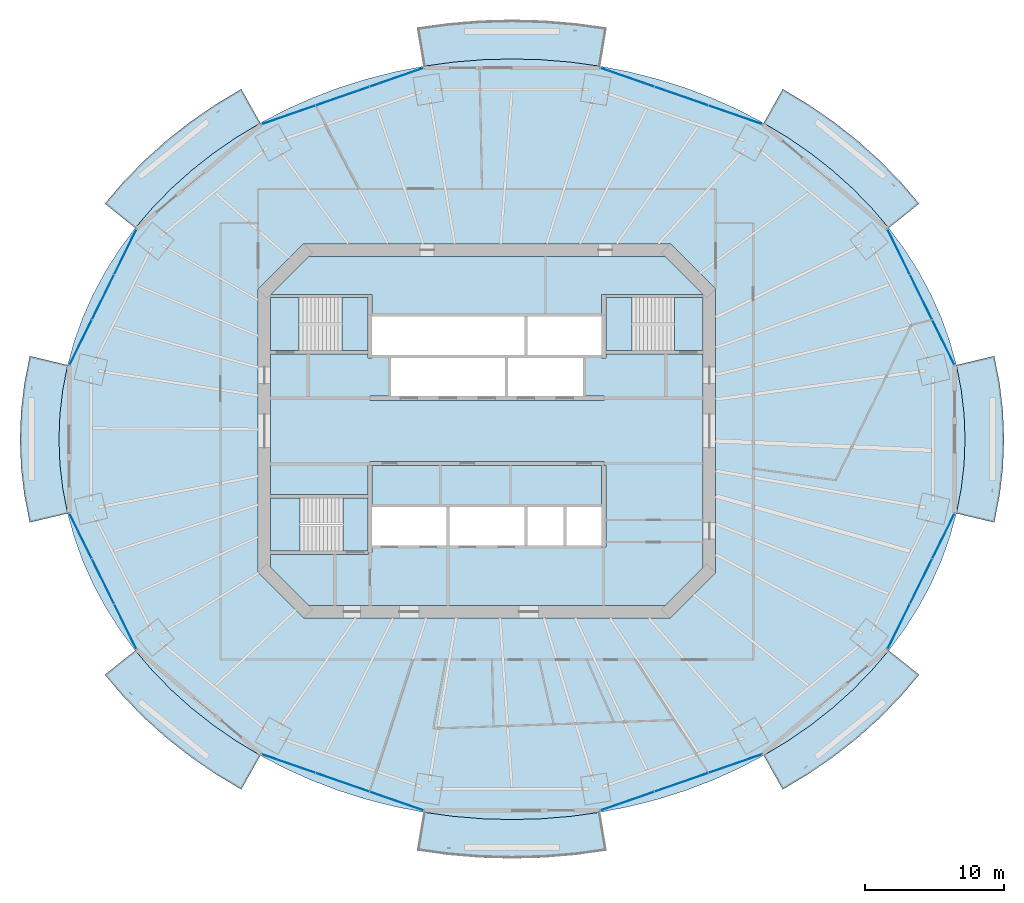
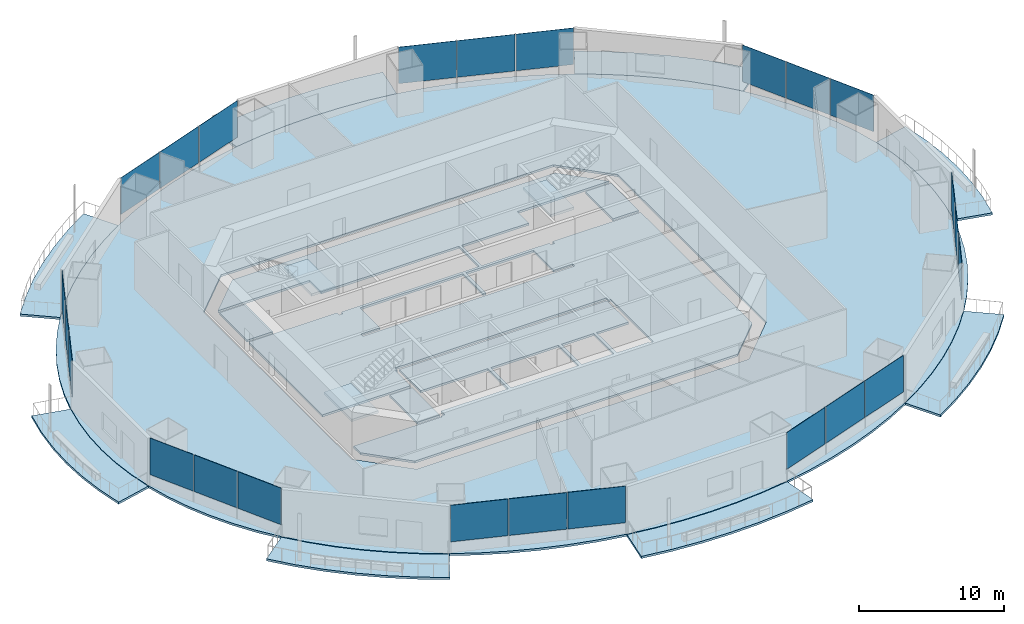
# One storey, part 10 of 20: 24 plates, 16 slabs, 11 elements without a shape of their own.
"""IFC4 building model written with IfcOpenShell, lengths in metres."""

from ifc_helpers import new_model, si_unit, direction, frame, origin, origin_2d, place, context, subcontext, project, spatial, polyline, rectangle, outline, extrude, material, layer, layer_set, type_object, element, aggregate, save


model = new_model("IFC4")

# Units and contexts
model_context = context("Model", 3, precision=1e-05, world=origin(), true_north=direction((0.0, 1.0)))
body_context = subcontext(model_context, "Body", "Model", "MODEL_VIEW")
ifc_project = project(units=[si_unit("LENGTHUNIT", "METRE"), si_unit("AREAUNIT", "SQUARE_METRE"), si_unit("VOLUMEUNIT", "CUBIC_METRE"), si_unit("PLANEANGLEUNIT", "RADIAN"), si_unit("MASSUNIT", "GRAM", prefix="KILO")], contexts=[model_context])

# Site, building, storey
site_placement = place(None, origin())
site = spatial("IfcSite", under=ifc_project, at=site_placement, CompositionType="ELEMENT")
building_placement = place(site_placement, origin())
building = spatial("IfcBuilding", under=site, at=building_placement, Name="Marenthal Gate Tower", CompositionType="ELEMENT")
storey_placement = place(building_placement, frame((0.0, 0.0, 181.800048828125)))
storey = spatial("IfcBuildingStorey", under=building, at=storey_placement, Name="L39", CompositionType="ELEMENT", Elevation=181.800048828125)

# Slabs
ifc_material_1 = material(Name="Concrete 40 MPa", Category="concrete")
ifc_layer_1 = layer(ifc_material_1, 0.179931640625)
ifc_layer_set_1 = layer_set([ifc_layer_1], Name="Balcony deck 180")
slab_type_1 = type_object("IfcSlabType", Name="Balcony deck 180", PredefinedType="USERDEFINED", material=ifc_layer_set_1)
slab_1_placement = place(storey_placement, frame((0.0, 0.0, -0.219970703125)))
element("IfcSlab", 1, at=slab_1_placement, inside=storey, type_object=slab_type_1, Name="Balcony deck L39 bay 2", ObjectType="BALCONY", PredefinedType="USERDEFINED", context=body_context, shape_type="SweptSolid", body=[
    extrude(outline(polyline([(28.88671875, 14.592529296875), (27.64501953125, 16.047119140625), (26.292724609375, 17.430419921875), (24.83544921875, 18.736572265625), (23.279541015625, 19.959716796875), (21.631591796875, 21.094970703125), (19.898681640625, 22.137451171875), (21.2685546875, 24.57958984375), (23.147705078125, 23.448974609375), (24.939453125, 22.214599609375), (26.635498046875, 20.881103515625), (28.228759765625, 19.453125), (29.711669921875, 17.936279296875), (31.077392578125, 16.33642578125), (28.88671875, 14.592529296875)])), origin(), (0.0, 0.0, 1.0), 0.179931640625),
])
slab_2_placement = place(storey_placement, frame((0.0, 0.0, -0.219970703125)))
element("IfcSlab", 2, at=slab_2_placement, inside=storey, type_object=slab_type_1, Name="Balcony deck L39 bay 4", ObjectType="BALCONY", PredefinedType="USERDEFINED", context=body_context, shape_type="SweptSolid", body=[
    extrude(outline(polyline([(8.155517578125, 26.220703125), (6.05224609375, 26.51220703125), (3.9306640625, 26.6875), (1.800048828125, 26.74609375), (-0.33056640625, 26.6875), (-2.4521484375, 26.51220703125), (-4.555419921875, 26.220703125), (-5.0166015625, 28.982421875), (-2.759765625, 29.295166015625), (-0.484375, 29.483154296875), (1.800048828125, 29.5458984375), (4.08447265625, 29.483154296875), (6.35986328125, 29.295166015625), (8.61669921875, 28.982421875), (8.155517578125, 26.220703125)])), origin(), (0.0, 0.0, 1.0), 0.179931640625),
])
slab_3_placement = place(storey_placement, frame((0.0, 0.0, -0.219970703125)))
element("IfcSlab", 3, at=slab_3_placement, inside=storey, type_object=slab_type_1, Name="Balcony deck L39 bay 6", ObjectType="BALCONY", PredefinedType="USERDEFINED", context=body_context, shape_type="SweptSolid", body=[
    extrude(outline(polyline([(-16.298828125, 22.137451171875), (-18.031494140625, 21.094970703125), (-19.679443359375, 19.959716796875), (-21.2353515625, 18.736572265625), (-22.692626953125, 17.430419921875), (-24.045166015625, 16.047119140625), (-25.286865234375, 14.592529296875), (-27.4775390625, 16.33642578125), (-26.11181640625, 17.936279296875), (-24.62890625, 19.453125), (-23.03564453125, 20.881103515625), (-21.33935546875, 22.214599609375), (-19.5478515625, 23.448974609375), (-17.66845703125, 24.57958984375), (-16.298828125, 22.137451171875)])), origin(), (0.0, 0.0, 1.0), 0.179931640625),
])
slab_4_placement = place(storey_placement, frame((0.0, 0.0, -0.219970703125)))
element("IfcSlab", 4, at=slab_4_placement, inside=storey, type_object=slab_type_1, Name="Balcony deck L39 bay 8", ObjectType="BALCONY", PredefinedType="USERDEFINED", context=body_context, shape_type="SweptSolid", body=[
    extrude(outline(polyline([(-30.15087890625, 4.73486328125), (-30.498291015625, 2.969482421875), (-30.707275390625, 1.1884765625), (-30.777099609375, -0.60009765625), (-30.707275390625, -2.388427734375), (-30.498291015625, -4.16943359375), (-30.15087890625, -5.934814453125), (-32.87548828125, -6.58056640625), (-33.264404296875, -4.603271484375), (-33.498779296875, -2.6064453125), (-33.576904296875, -0.60009765625), (-33.498779296875, 1.406494140625), (-33.264404296875, 3.4033203125), (-32.87548828125, 5.380615234375), (-30.15087890625, 4.73486328125)])), origin(), (0.0, 0.0, 1.0), 0.179931640625),
])
slab_5_placement = place(storey_placement, frame((0.0, 0.0, -0.219970703125)))
element("IfcSlab", 5, at=slab_5_placement, inside=storey, type_object=slab_type_1, Name="Balcony deck L39 bay 10", ObjectType="BALCONY", PredefinedType="USERDEFINED", context=body_context, shape_type="SweptSolid", body=[
    extrude(outline(polyline([(-25.286865234375, -15.79248046875), (-24.045166015625, -17.247314453125), (-22.692626953125, -18.630615234375), (-21.2353515625, -19.9365234375), (-19.679443359375, -21.159912109375), (-18.031494140625, -22.294921875), (-16.298828125, -23.33740234375), (-17.66845703125, -25.779541015625), (-19.5478515625, -24.64892578125), (-21.33935546875, -23.414794921875), (-23.03564453125, -22.0810546875), (-24.62890625, -20.6533203125), (-26.11181640625, -19.136474609375), (-27.4775390625, -17.536376953125), (-25.286865234375, -15.79248046875)])), origin(), (0.0, 0.0, 1.0), 0.179931640625),
])
slab_6_placement = place(storey_placement, frame((0.0, 0.0, -0.219970703125)))
element("IfcSlab", 6, at=slab_6_placement, inside=storey, type_object=slab_type_1, Name="Balcony deck L39 bay 12", ObjectType="BALCONY", PredefinedType="USERDEFINED", context=body_context, shape_type="SweptSolid", body=[
    extrude(outline(polyline([(-4.555419921875, -27.420654296875), (-2.4521484375, -27.712158203125), (-0.33056640625, -27.887451171875), (1.800048828125, -27.946044921875), (3.9306640625, -27.887451171875), (6.05224609375, -27.712158203125), (8.155517578125, -27.420654296875), (8.61669921875, -30.182373046875), (6.35986328125, -30.4951171875), (4.08447265625, -30.683349609375), (1.800048828125, -30.74609375), (-0.484375, -30.683349609375), (-2.759765625, -30.4951171875), (-5.0166015625, -30.182373046875), (-4.555419921875, -27.420654296875)])), origin(), (0.0, 0.0, 1.0), 0.179931640625),
])
slab_7_placement = place(storey_placement, frame((0.0, 0.0, -0.219970703125)))
element("IfcSlab", 7, at=slab_7_placement, inside=storey, type_object=slab_type_1, Name="Balcony deck L39 bay 14", ObjectType="BALCONY", PredefinedType="USERDEFINED", context=body_context, shape_type="SweptSolid", body=[
    extrude(outline(polyline([(19.898681640625, -23.33740234375), (21.631591796875, -22.294921875), (23.279541015625, -21.159912109375), (24.83544921875, -19.9365234375), (26.292724609375, -18.630615234375), (27.64501953125, -17.247314453125), (28.88671875, -15.79248046875), (31.077392578125, -17.536376953125), (29.711669921875, -19.136474609375), (28.228759765625, -20.6533203125), (26.635498046875, -22.0810546875), (24.939453125, -23.414794921875), (23.147705078125, -24.64892578125), (21.2685546875, -25.779541015625), (19.898681640625, -23.33740234375)])), origin(), (0.0, 0.0, 1.0), 0.179931640625),
])
slab_8_placement = place(storey_placement, frame((0.0, 0.0, -0.219970703125)))
element("IfcSlab", 8, at=slab_8_placement, inside=storey, type_object=slab_type_1, Name="Balcony deck L39 bay 16", ObjectType="BALCONY", PredefinedType="USERDEFINED", context=body_context, shape_type="SweptSolid", body=[
    extrude(outline(polyline([(33.7509765625, -5.934814453125), (34.098388671875, -4.16943359375), (34.307373046875, -2.388427734375), (34.376953125, -0.60009765625), (34.307373046875, 1.1884765625), (34.098388671875, 2.969482421875), (33.7509765625, 4.73486328125), (36.4755859375, 5.380615234375), (36.864501953125, 3.4033203125), (37.098876953125, 1.406494140625), (37.177001953125, -0.60009765625), (37.098876953125, -2.6064453125), (36.864501953125, -4.603271484375), (36.4755859375, -6.58056640625), (33.7509765625, -5.934814453125)])), origin(), (0.0, 0.0, 1.0), 0.179931640625),
])
ifc_material_2 = material(Name="Concrete 50 MPa", Category="concrete")
ifc_layer_2 = layer(ifc_material_2, 0.179931640625)
ifc_layer_set_2 = layer_set([ifc_layer_2], Name="Core floor slab 180")
slab_type_2 = type_object("IfcSlabType", Name="Core floor slab 180", PredefinedType="FLOOR", material=ifc_layer_set_2)
slab_9_placement = place(storey_placement, frame((0.0, 0.0, -0.179931640625)))
element("IfcSlab", 9, at=slab_9_placement, inside=storey, type_object=slab_type_2, Name="Core floor L39", PredefinedType="FLOOR", context=body_context, shape_type="SweptSolid", body=[
    extrude(outline(polyline([(12.813720703125, -12.550048828125), (-12.813720703125, -12.550048828125), (-15.550048828125, -9.813720703125), (-15.550048828125, -8.875), (-8.550048828125, -8.875), (-8.550048828125, -8.75), (-8.25, -8.75), (-8.25, -8.239990234375), (-5.60009765625, -8.239990234375), (-2.909912109375, -8.239990234375), (-2.909912109375, -5.4599609375), (-5.60009765625, -5.4599609375), (-8.25, -5.4599609375), (-8.25, -2.5), (8.25, -2.5), (8.25, -5.4599609375), (5.7099609375, -5.4599609375), (5.7099609375, -8.239990234375), (8.25, -8.239990234375), (8.25, -8.35009765625), (8.550048828125, -8.35009765625), (8.550048828125, -2.5), (8.39990234375, -2.5), (8.39990234375, -2.199951171875), (-8.39990234375, -2.199951171875), (-8.39990234375, -2.5), (-8.550048828125, -2.5), (-8.550048828125, -4.574951171875), (-15.550048828125, -4.574951171875), (-15.550048828125, 5.52490234375), (-8.550048828125, 5.52490234375), (-8.550048828125, 5.239990234375), (-8.25, 5.239990234375), (-8.25, 5.4599609375), (-5.60009765625, 5.4599609375), (-2.800048828125, 5.4599609375), (0.0, 5.4599609375), (2.68994140625, 5.4599609375), (2.68994140625, 8.239990234375), (0.0, 8.239990234375), (-2.800048828125, 8.239990234375), (-5.60009765625, 8.239990234375), (-8.25, 8.239990234375), (-8.25, 8.35009765625), (-8.25, 9.824951171875), (-8.550048828125, 9.824951171875), (-15.53857421875, 9.824951171875), (-12.813720703125, 12.550048828125), (12.813720703125, 12.550048828125), (15.53857421875, 9.824951171875), (8.550048828125, 9.824951171875), (8.25, 9.824951171875), (8.25, 8.35009765625), (8.25, 8.239990234375), (5.60009765625, 8.239990234375), (2.909912109375, 8.239990234375), (2.909912109375, 5.4599609375), (5.60009765625, 5.4599609375), (8.25, 5.4599609375), (8.25, 5.239990234375), (8.550048828125, 5.239990234375), (8.550048828125, 5.52490234375), (15.550048828125, 5.52490234375), (15.550048828125, -9.813720703125), (12.813720703125, -12.550048828125)]), holes=[polyline([(2.68994140625, -8.239990234375), (2.68994140625, -5.4599609375), (0.0, -5.4599609375), (-2.68994140625, -5.4599609375), (-2.68994140625, -8.239990234375), (0.0, -8.239990234375), (2.68994140625, -8.239990234375)]), polyline([(-6.889892578125, 5.239990234375), (-6.889892578125, 2.5), (-8.39990234375, 2.5), (-8.39990234375, 2.199951171875), (8.39990234375, 2.199951171875), (8.39990234375, 2.5), (6.889892578125, 2.5), (6.889892578125, 5.239990234375), (4.199951171875, 5.239990234375), (1.510009765625, 5.239990234375), (1.510009765625, 2.5), (1.2900390625, 2.5), (1.2900390625, 5.239990234375), (-1.39990234375, 5.239990234375), (-4.199951171875, 5.239990234375), (-6.889892578125, 5.239990234375)]), polyline([(5.489990234375, -5.4599609375), (2.909912109375, -5.4599609375), (2.909912109375, -8.239990234375), (5.489990234375, -8.239990234375), (5.489990234375, -5.4599609375)])]), origin(), (0.0, 0.0, 1.0), 0.179931640625),
])
slab_10_placement = place(storey_placement, frame((0.0, 0.0, -0.179931640625)))
element("IfcSlab", 10, at=slab_10_placement, inside=storey, type_object=slab_type_2, Name="Core floor L39", PredefinedType="FLOOR", context=body_context, shape_type="SweptSolid", body=[
    extrude(outline(polyline([(15.550048828125, 5.77490234375), (13.5, 5.77490234375), (13.5, 9.574951171875), (15.550048828125, 9.574951171875), (15.550048828125, 5.77490234375)])), origin(), (0.0, 0.0, 1.0), 0.179931640625),
])
slab_11_placement = place(storey_placement, frame((0.0, 0.0, -0.179931640625)))
element("IfcSlab", 11, at=slab_11_placement, inside=storey, type_object=slab_type_2, Name="Core floor L39", PredefinedType="FLOOR", context=body_context, shape_type="SweptSolid", body=[
    extrude(outline(polyline([(-15.550048828125, 9.574951171875), (-13.5, 9.574951171875), (-13.5, 5.77490234375), (-15.550048828125, 5.77490234375), (-15.550048828125, 9.574951171875)])), origin(), (0.0, 0.0, 1.0), 0.179931640625),
])
slab_12_placement = place(storey_placement, frame((0.0, 0.0, -0.179931640625)))
element("IfcSlab", 12, at=slab_12_placement, inside=storey, type_object=slab_type_2, Name="Core floor L39", PredefinedType="FLOOR", context=body_context, shape_type="SweptSolid", body=[
    extrude(outline(polyline([(-8.550048828125, -8.625), (-10.35009765625, -8.625), (-10.35009765625, -4.824951171875), (-8.550048828125, -4.824951171875), (-8.550048828125, -8.625)])), origin(), (0.0, 0.0, 1.0), 0.179931640625),
])
ifc_material_3 = material(Name="Concrete 35 MPa", Category="concrete")
ifc_layer_3 = layer(ifc_material_3, 0.179931640625)
ifc_layer_set_3 = layer_set([ifc_layer_3], Name="Floor slab 180")
slab_type_3 = type_object("IfcSlabType", Name="Floor slab 180", PredefinedType="FLOOR", material=ifc_layer_set_3)
slab_13_placement = place(storey_placement, frame((0.0, 0.0, -0.179931640625)))
element("IfcSlab", 13, at=slab_13_placement, inside=storey, type_object=slab_type_3, Name="SL-L39-01", PredefinedType="FLOOR", context=body_context, shape_type="SweptSolid", body=[
    extrude(outline(polyline([(34.376953125, -0.60009765625), (34.307373046875, 1.1884765625), (34.098388671875, 2.969482421875), (33.7509765625, 4.73486328125), (33.26708984375, 6.477783203125), (32.648193359375, 8.190185546875), (31.897216796875, 9.864990234375), (31.017333984375, 11.494873046875), (30.012451171875, 13.072998046875), (28.88671875, 14.592529296875), (27.64501953125, 16.047119140625), (26.292724609375, 17.430419921875), (24.83544921875, 18.736572265625), (23.279541015625, 19.959716796875), (21.631591796875, 21.094970703125), (19.898681640625, 22.137451171875), (18.08837890625, 23.082275390625), (16.20849609375, 23.92578125), (14.2666015625, 24.664306640625), (12.271484375, 25.294921875), (10.2314453125, 25.814208984375), (8.155517578125, 26.220703125), (6.05224609375, 26.51220703125), (3.9306640625, 26.6875), (1.800048828125, 26.74609375), (-0.33056640625, 26.6875), (-2.4521484375, 26.51220703125), (-4.555419921875, 26.220703125), (-6.631591796875, 25.814208984375), (-8.67138671875, 25.294921875), (-10.666748046875, 24.664306640625), (-12.6083984375, 23.92578125), (-14.488525390625, 23.082275390625), (-16.298828125, 22.137451171875), (-18.031494140625, 21.094970703125), (-19.679443359375, 19.959716796875), (-21.2353515625, 18.736572265625), (-22.692626953125, 17.430419921875), (-24.045166015625, 16.047119140625), (-25.286865234375, 14.592529296875), (-26.41259765625, 13.072998046875), (-27.41748046875, 11.494873046875), (-28.297119140625, 9.864990234375), (-29.048095703125, 8.190185546875), (-29.6669921875, 6.477783203125), (-30.15087890625, 4.73486328125), (-30.498291015625, 2.969482421875), (-30.707275390625, 1.1884765625), (-30.777099609375, -0.60009765625), (-30.707275390625, -2.388427734375), (-30.498291015625, -4.16943359375), (-30.15087890625, -5.934814453125), (-29.6669921875, -7.677734375), (-29.048095703125, -9.39013671875), (-28.297119140625, -11.06494140625), (-27.41748046875, -12.69482421875), (-26.41259765625, -14.27294921875), (-25.286865234375, -15.79248046875), (-24.045166015625, -17.247314453125), (-22.692626953125, -18.630615234375), (-21.2353515625, -19.9365234375), (-19.679443359375, -21.159912109375), (-18.031494140625, -22.294921875), (-16.298828125, -23.33740234375), (-14.488525390625, -24.2822265625), (-12.6083984375, -25.1259765625), (-10.666748046875, -25.864501953125), (-8.67138671875, -26.494873046875), (-6.631591796875, -27.01416015625), (-4.555419921875, -27.420654296875), (-2.4521484375, -27.712158203125), (-0.33056640625, -27.887451171875), (1.800048828125, -27.946044921875), (3.9306640625, -27.887451171875), (6.05224609375, -27.712158203125), (8.155517578125, -27.420654296875), (10.2314453125, -27.01416015625), (12.271484375, -26.494873046875), (14.2666015625, -25.864501953125), (16.20849609375, -25.1259765625), (18.08837890625, -24.2822265625), (19.898681640625, -23.33740234375), (21.631591796875, -22.294921875), (23.279541015625, -21.159912109375), (24.83544921875, -19.9365234375), (26.292724609375, -18.630615234375), (27.64501953125, -17.247314453125), (28.88671875, -15.79248046875), (30.012451171875, -14.27294921875), (31.017333984375, -12.69482421875), (31.897216796875, -11.06494140625), (32.648193359375, -9.39013671875), (33.26708984375, -7.677734375), (33.7509765625, -5.934814453125), (34.098388671875, -4.16943359375), (34.307373046875, -2.388427734375), (34.376953125, -0.60009765625)]), holes=[polyline([(13.186279296875, -13.449951171875), (16.449951171875, -10.186279296875), (16.449951171875, 10.186279296875), (13.186279296875, 13.449951171875), (-13.186279296875, 13.449951171875), (-16.449951171875, 10.186279296875), (-16.449951171875, -10.186279296875), (-13.186279296875, -13.449951171875), (13.186279296875, -13.449951171875)])]), origin(), (0.0, 0.0, 1.0), 0.179931640625),
])

# Curtain wall, plates
ifc_material_4 = material(Name="Aluminium and glass", Category="aluminium")
curtain_wall_type = type_object("IfcCurtainWallType", Name="Curtain wall typical mid", PredefinedType="NOTDEFINED", material=ifc_material_4)
curtain_wall_1_placement = place(storey_placement, origin())
curtain_wall_1 = element("IfcCurtainWall", 14, at=curtain_wall_1_placement, inside=storey, type_object=curtain_wall_type, Name="Curtain wall L39 bay 1", PredefinedType="NOTDEFINED")
ifc_material_5 = material(Name="Glass, laminated insulating unit", Category="glass")
ifc_layer_4 = layer(ifc_material_5, 0.030029296875)
ifc_layer_set_4 = layer_set([ifc_layer_4], Name="Glass panel 30 typical mid")
plate_type = type_object("IfcPlateType", Name="Glass panel 30 typical mid", PredefinedType="CURTAIN_PANEL", material=ifc_layer_set_4)
plate_1_placement = place(storey_placement, frame((32.816650390625, 6.365234375, 0.89990234375), z_axis=(0.0, 0.0, 1.0), x_axis=(-0.442753381428, 0.89664343149, 0.0)))
plate_1 = element("IfcPlate", 15, at=plate_1_placement, type_object=plate_type, Name="Glass panel L39 bay 1.1", PredefinedType="CURTAIN_PANEL", context=body_context, shape_type="SweptSolid", body=[
    extrude(rectangle(XDim=3.568603515625, YDim=0.030029296875, at=origin_2d()), origin(), (0.0, 0.0, 1.0), 3.070068359375),
])
plate_2_placement = place(storey_placement, frame((31.210205078125, 9.61865234375, 0.89990234375), z_axis=(0.0, 0.0, 1.0), x_axis=(-0.442753381428, 0.89664343149, 0.0)))
plate_2 = element("IfcPlate", 16, at=plate_2_placement, type_object=plate_type, Name="Glass panel L39 bay 1.2", PredefinedType="CURTAIN_PANEL", context=body_context, shape_type="SweptSolid", body=[
    extrude(rectangle(XDim=3.568603515625, YDim=0.030029296875, at=origin_2d()), origin(), (0.0, 0.0, 1.0), 3.070068359375),
])
plate_3_placement = place(storey_placement, frame((29.603515625, 12.872314453125, 0.89990234375), z_axis=(0.0, 0.0, 1.0), x_axis=(-0.442753381428, 0.89664343149, 0.0)))
plate_3 = element("IfcPlate", 17, at=plate_3_placement, type_object=plate_type, Name="Glass panel L39 bay 1.3", PredefinedType="CURTAIN_PANEL", context=body_context, shape_type="SweptSolid", body=[
    extrude(rectangle(XDim=3.568603515625, YDim=0.030029296875, at=origin_2d()), origin(), (0.0, 0.0, 1.0), 3.070068359375),
])
aggregate(curtain_wall_1, [plate_1, plate_2, plate_3])

curtain_wall_2_placement = place(storey_placement, origin())
curtain_wall_2 = element("IfcCurtainWall", 18, at=curtain_wall_2_placement, inside=storey, type_object=curtain_wall_type, Name="Curtain wall L39 bay 3", PredefinedType="NOTDEFINED")
plate_4_placement = place(storey_placement, frame((17.86328125, 22.7216796875, 0.89990234375), z_axis=(0.0, 0.0, 1.0), x_axis=(-0.944604464856, 0.32821091538, 0.0)))
plate_4 = element("IfcPlate", 19, at=plate_4_placement, type_object=plate_type, Name="Glass panel L39 bay 3.1", PredefinedType="CURTAIN_PANEL", context=body_context, shape_type="SweptSolid", body=[
    extrude(rectangle(XDim=4.048583984375, YDim=0.030029296875, at=origin_2d()), origin(), (0.0, 0.0, 1.0), 3.070068359375),
])
plate_5_placement = place(storey_placement, frame((13.982177734375, 24.0703125, 0.89990234375), z_axis=(0.0, 0.0, 1.0), x_axis=(-0.944604464856, 0.32821091538, 0.0)))
plate_5 = element("IfcPlate", 20, at=plate_5_placement, type_object=plate_type, Name="Glass panel L39 bay 3.2", PredefinedType="CURTAIN_PANEL", context=body_context, shape_type="SweptSolid", body=[
    extrude(rectangle(XDim=4.048828125, YDim=0.030029296875, at=origin_2d()), origin(), (0.0, 0.0, 1.0), 3.070068359375),
])
plate_6_placement = place(storey_placement, frame((10.100830078125, 25.418701171875, 0.89990234375), z_axis=(0.0, 0.0, 1.0), x_axis=(-0.944604464856, 0.32821091538, 0.0)))
plate_6 = element("IfcPlate", 21, at=plate_6_placement, type_object=plate_type, Name="Glass panel L39 bay 3.3", PredefinedType="CURTAIN_PANEL", context=body_context, shape_type="SweptSolid", body=[
    extrude(rectangle(XDim=4.048583984375, YDim=0.030029296875, at=origin_2d()), origin(), (0.0, 0.0, 1.0), 3.070068359375),
])
aggregate(curtain_wall_2, [plate_4, plate_5, plate_6])

curtain_wall_3_placement = place(storey_placement, origin())
curtain_wall_3 = element("IfcCurtainWall", 22, at=curtain_wall_3_placement, inside=storey, type_object=curtain_wall_type, Name="Curtain wall L39 bay 5", PredefinedType="NOTDEFINED")
plate_7_placement = place(storey_placement, frame((-6.5009765625, 25.418701171875, 0.89990234375), z_axis=(0.0, 0.0, 1.0), x_axis=(-0.944604464856, -0.32821091538, 0.0)))
plate_7 = element("IfcPlate", 23, at=plate_7_placement, type_object=plate_type, Name="Glass panel L39 bay 5.1", PredefinedType="CURTAIN_PANEL", context=body_context, shape_type="SweptSolid", body=[
    extrude(rectangle(XDim=4.048583984375, YDim=0.030029296875, at=origin_2d()), origin(), (0.0, 0.0, 1.0), 3.070068359375),
])
plate_8_placement = place(storey_placement, frame((-10.382080078125, 24.0703125, 0.89990234375), z_axis=(0.0, 0.0, 1.0), x_axis=(-0.944604464856, -0.32821091538, 0.0)))
plate_8 = element("IfcPlate", 24, at=plate_8_placement, type_object=plate_type, Name="Glass panel L39 bay 5.2", PredefinedType="CURTAIN_PANEL", context=body_context, shape_type="SweptSolid", body=[
    extrude(rectangle(XDim=4.048828125, YDim=0.030029296875, at=origin_2d()), origin(), (0.0, 0.0, 1.0), 3.070068359375),
])
plate_9_placement = place(storey_placement, frame((-14.26318359375, 22.7216796875, 0.89990234375), z_axis=(0.0, 0.0, 1.0), x_axis=(-0.944604464856, -0.32821091538, 0.0)))
plate_9 = element("IfcPlate", 25, at=plate_9_placement, type_object=plate_type, Name="Glass panel L39 bay 5.3", PredefinedType="CURTAIN_PANEL", context=body_context, shape_type="SweptSolid", body=[
    extrude(rectangle(XDim=4.048583984375, YDim=0.030029296875, at=origin_2d()), origin(), (0.0, 0.0, 1.0), 3.070068359375),
])
aggregate(curtain_wall_3, [plate_7, plate_8, plate_9])

curtain_wall_4_placement = place(storey_placement, origin())
curtain_wall_4 = element("IfcCurtainWall", 26, at=curtain_wall_4_placement, inside=storey, type_object=curtain_wall_type, Name="Curtain wall L39 bay 7", PredefinedType="NOTDEFINED")
plate_10_placement = place(storey_placement, frame((-26.003662109375, 12.872314453125, 0.89990234375), z_axis=(0.0, 0.0, 1.0), x_axis=(-0.442753381428, -0.89664343149, 0.0)))
plate_10 = element("IfcPlate", 27, at=plate_10_placement, type_object=plate_type, Name="Glass panel L39 bay 7.1", PredefinedType="CURTAIN_PANEL", context=body_context, shape_type="SweptSolid", body=[
    extrude(rectangle(XDim=3.568603515625, YDim=0.030029296875, at=origin_2d()), origin(), (0.0, 0.0, 1.0), 3.070068359375),
])
plate_11_placement = place(storey_placement, frame((-27.610107421875, 9.61865234375, 0.89990234375), z_axis=(0.0, 0.0, 1.0), x_axis=(-0.442753381428, -0.89664343149, 0.0)))
plate_11 = element("IfcPlate", 28, at=plate_11_placement, type_object=plate_type, Name="Glass panel L39 bay 7.2", PredefinedType="CURTAIN_PANEL", context=body_context, shape_type="SweptSolid", body=[
    extrude(rectangle(XDim=3.568603515625, YDim=0.030029296875, at=origin_2d()), origin(), (0.0, 0.0, 1.0), 3.070068359375),
])
plate_12_placement = place(storey_placement, frame((-29.216796875, 6.365234375, 0.89990234375), z_axis=(0.0, 0.0, 1.0), x_axis=(-0.442753381428, -0.89664343149, 0.0)))
plate_12 = element("IfcPlate", 29, at=plate_12_placement, type_object=plate_type, Name="Glass panel L39 bay 7.3", PredefinedType="CURTAIN_PANEL", context=body_context, shape_type="SweptSolid", body=[
    extrude(rectangle(XDim=3.568603515625, YDim=0.030029296875, at=origin_2d()), origin(), (0.0, 0.0, 1.0), 3.070068359375),
])
aggregate(curtain_wall_4, [plate_10, plate_11, plate_12])

curtain_wall_5_placement = place(storey_placement, origin())
curtain_wall_5 = element("IfcCurtainWall", 30, at=curtain_wall_5_placement, inside=storey, type_object=curtain_wall_type, Name="Curtain wall L39 bay 9", PredefinedType="NOTDEFINED")
plate_13_placement = place(storey_placement, frame((-29.216796875, -7.565185546875, 0.89990234375), z_axis=(0.0, 0.0, 1.0), x_axis=(0.442753381428, -0.89664343149, 0.0)))
plate_13 = element("IfcPlate", 31, at=plate_13_placement, type_object=plate_type, Name="Glass panel L39 bay 9.1", PredefinedType="CURTAIN_PANEL", context=body_context, shape_type="SweptSolid", body=[
    extrude(rectangle(XDim=3.568603515625, YDim=0.030029296875, at=origin_2d()), origin(), (0.0, 0.0, 1.0), 3.070068359375),
])
plate_14_placement = place(storey_placement, frame((-27.610107421875, -10.81884765625, 0.89990234375), z_axis=(0.0, 0.0, 1.0), x_axis=(0.442753381428, -0.89664343149, 0.0)))
plate_14 = element("IfcPlate", 32, at=plate_14_placement, type_object=plate_type, Name="Glass panel L39 bay 9.2", PredefinedType="CURTAIN_PANEL", context=body_context, shape_type="SweptSolid", body=[
    extrude(rectangle(XDim=3.568603515625, YDim=0.030029296875, at=origin_2d()), origin(), (0.0, 0.0, 1.0), 3.070068359375),
])
plate_15_placement = place(storey_placement, frame((-26.003662109375, -14.072265625, 0.89990234375), z_axis=(0.0, 0.0, 1.0), x_axis=(0.442753381428, -0.89664343149, 0.0)))
plate_15 = element("IfcPlate", 33, at=plate_15_placement, type_object=plate_type, Name="Glass panel L39 bay 9.3", PredefinedType="CURTAIN_PANEL", context=body_context, shape_type="SweptSolid", body=[
    extrude(rectangle(XDim=3.568603515625, YDim=0.030029296875, at=origin_2d()), origin(), (0.0, 0.0, 1.0), 3.070068359375),
])
aggregate(curtain_wall_5, [plate_13, plate_14, plate_15])

curtain_wall_6_placement = place(storey_placement, origin())
curtain_wall_6 = element("IfcCurtainWall", 34, at=curtain_wall_6_placement, inside=storey, type_object=curtain_wall_type, Name="Curtain wall L39 bay 11", PredefinedType="NOTDEFINED")
plate_16_placement = place(storey_placement, frame((-14.26318359375, -23.921630859375, 0.89990234375), z_axis=(0.0, 0.0, 1.0), x_axis=(0.944604464856, -0.32821091538, 0.0)))
plate_16 = element("IfcPlate", 35, at=plate_16_placement, type_object=plate_type, Name="Glass panel L39 bay 11.1", PredefinedType="CURTAIN_PANEL", context=body_context, shape_type="SweptSolid", body=[
    extrude(rectangle(XDim=4.048583984375, YDim=0.030029296875, at=origin_2d()), origin(), (0.0, 0.0, 1.0), 3.070068359375),
])
plate_17_placement = place(storey_placement, frame((-10.382080078125, -25.270263671875, 0.89990234375), z_axis=(0.0, 0.0, 1.0), x_axis=(0.944604464856, -0.32821091538, 0.0)))
plate_17 = element("IfcPlate", 36, at=plate_17_placement, type_object=plate_type, Name="Glass panel L39 bay 11.2", PredefinedType="CURTAIN_PANEL", context=body_context, shape_type="SweptSolid", body=[
    extrude(rectangle(XDim=4.048828125, YDim=0.030029296875, at=origin_2d()), origin(), (0.0, 0.0, 1.0), 3.070068359375),
])
plate_18_placement = place(storey_placement, frame((-6.5009765625, -26.618896484375, 0.89990234375), z_axis=(0.0, 0.0, 1.0), x_axis=(0.944604464856, -0.32821091538, 0.0)))
plate_18 = element("IfcPlate", 37, at=plate_18_placement, type_object=plate_type, Name="Glass panel L39 bay 11.3", PredefinedType="CURTAIN_PANEL", context=body_context, shape_type="SweptSolid", body=[
    extrude(rectangle(XDim=4.048583984375, YDim=0.030029296875, at=origin_2d()), origin(), (0.0, 0.0, 1.0), 3.070068359375),
])
aggregate(curtain_wall_6, [plate_16, plate_17, plate_18])

curtain_wall_7_placement = place(storey_placement, origin())
curtain_wall_7 = element("IfcCurtainWall", 38, at=curtain_wall_7_placement, inside=storey, type_object=curtain_wall_type, Name="Curtain wall L39 bay 13", PredefinedType="NOTDEFINED")
plate_19_placement = place(storey_placement, frame((10.100830078125, -26.618896484375, 0.89990234375), z_axis=(0.0, 0.0, 1.0), x_axis=(0.944604464856, 0.32821091538, 0.0)))
plate_19 = element("IfcPlate", 39, at=plate_19_placement, type_object=plate_type, Name="Glass panel L39 bay 13.1", PredefinedType="CURTAIN_PANEL", context=body_context, shape_type="SweptSolid", body=[
    extrude(rectangle(XDim=4.048583984375, YDim=0.030029296875, at=origin_2d()), origin(), (0.0, 0.0, 1.0), 3.070068359375),
])
plate_20_placement = place(storey_placement, frame((13.98193359375, -25.270263671875, 0.89990234375), z_axis=(0.0, 0.0, 1.0), x_axis=(0.944604464856, 0.32821091538, 0.0)))
plate_20 = element("IfcPlate", 40, at=plate_20_placement, type_object=plate_type, Name="Glass panel L39 bay 13.2", PredefinedType="CURTAIN_PANEL", context=body_context, shape_type="SweptSolid", body=[
    extrude(rectangle(XDim=4.048828125, YDim=0.030029296875, at=origin_2d()), origin(), (0.0, 0.0, 1.0), 3.070068359375),
])
plate_21_placement = place(storey_placement, frame((17.86328125, -23.921630859375, 0.89990234375), z_axis=(0.0, 0.0, 1.0), x_axis=(0.944604464856, 0.32821091538, 0.0)))
plate_21 = element("IfcPlate", 41, at=plate_21_placement, type_object=plate_type, Name="Glass panel L39 bay 13.3", PredefinedType="CURTAIN_PANEL", context=body_context, shape_type="SweptSolid", body=[
    extrude(rectangle(XDim=4.048583984375, YDim=0.030029296875, at=origin_2d()), origin(), (0.0, 0.0, 1.0), 3.070068359375),
])
aggregate(curtain_wall_7, [plate_19, plate_20, plate_21])

curtain_wall_8_placement = place(storey_placement, origin())
curtain_wall_8 = element("IfcCurtainWall", 42, at=curtain_wall_8_placement, inside=storey, type_object=curtain_wall_type, Name="Curtain wall L39 bay 15", PredefinedType="NOTDEFINED")
plate_22_placement = place(storey_placement, frame((29.603515625, -14.072265625, 0.89990234375), z_axis=(0.0, 0.0, 1.0), x_axis=(0.442753381428, 0.89664343149, 0.0)))
plate_22 = element("IfcPlate", 43, at=plate_22_placement, type_object=plate_type, Name="Glass panel L39 bay 15.1", PredefinedType="CURTAIN_PANEL", context=body_context, shape_type="SweptSolid", body=[
    extrude(rectangle(XDim=3.568603515625, YDim=0.030029296875, at=origin_2d()), origin(), (0.0, 0.0, 1.0), 3.070068359375),
])
plate_23_placement = place(storey_placement, frame((31.210205078125, -10.81884765625, 0.89990234375), z_axis=(0.0, 0.0, 1.0), x_axis=(0.442753381428, 0.89664343149, 0.0)))
plate_23 = element("IfcPlate", 44, at=plate_23_placement, type_object=plate_type, Name="Glass panel L39 bay 15.2", PredefinedType="CURTAIN_PANEL", context=body_context, shape_type="SweptSolid", body=[
    extrude(rectangle(XDim=3.568603515625, YDim=0.030029296875, at=origin_2d()), origin(), (0.0, 0.0, 1.0), 3.070068359375),
])
plate_24_placement = place(storey_placement, frame((32.816650390625, -7.565185546875, 0.89990234375), z_axis=(0.0, 0.0, 1.0), x_axis=(0.442753381428, 0.89664343149, 0.0)))
plate_24 = element("IfcPlate", 45, at=plate_24_placement, type_object=plate_type, Name="Glass panel L39 bay 15.3", PredefinedType="CURTAIN_PANEL", context=body_context, shape_type="SweptSolid", body=[
    extrude(rectangle(XDim=3.568603515625, YDim=0.030029296875, at=origin_2d()), origin(), (0.0, 0.0, 1.0), 3.070068359375),
])
aggregate(curtain_wall_8, [plate_22, plate_23, plate_24])

# Stair, slab
ifc_material_6 = material(Name="Concrete 40 MPa", Category="concrete")
stair_type = type_object("IfcStairType", Name="Exit stair 1800", PredefinedType="HALF_TURN_STAIR", material=ifc_material_6)
stair_1_placement = place(storey_placement, origin())
stair_1 = element("IfcStair", 46, at=stair_1_placement, inside=storey, type_object=stair_type, Name="Stair ST1", PredefinedType="HALF_TURN_STAIR")
ifc_material_7 = material(Name="Concrete 40 MPa", Category="concrete")
ifc_layer_5 = layer(ifc_material_7, 0.199951171875)
ifc_layer_set_5 = layer_set([ifc_layer_5], Name="Stair landing 200")
slab_type_4 = type_object("IfcSlabType", Name="Stair landing 200", PredefinedType="LANDING", material=ifc_layer_set_5)
slab_14_placement = place(storey_placement, frame((0.0, 0.0, 1.875)))
slab_14 = element("IfcSlab", 47, at=slab_14_placement, type_object=slab_type_4, Name="ST1 landing 1", PredefinedType="LANDING", context=body_context, shape_type="SweptSolid", body=[
    extrude(outline(polyline([(-10.419921875, 5.77490234375), (-8.550048828125, 5.77490234375), (-8.550048828125, 9.574951171875), (-10.419921875, 9.574951171875), (-10.419921875, 5.77490234375)])), origin(), (0.0, 0.0, 1.0), 0.199951171875),
])
aggregate(stair_1, [slab_14])

stair_2_placement = place(storey_placement, origin())
stair_2 = element("IfcStair", 48, at=stair_2_placement, inside=storey, type_object=stair_type, Name="Stair ST2", PredefinedType="HALF_TURN_STAIR")
slab_15_placement = place(storey_placement, frame((0.0, 0.0, 1.875)))
slab_15 = element("IfcSlab", 49, at=slab_15_placement, type_object=slab_type_4, Name="ST2 landing 1", PredefinedType="LANDING", context=body_context, shape_type="SweptSolid", body=[
    extrude(outline(polyline([(-15.550048828125, -8.625), (-13.429931640625, -8.625), (-13.429931640625, -4.824951171875), (-15.550048828125, -4.824951171875), (-15.550048828125, -8.625)])), origin(), (0.0, 0.0, 1.0), 0.199951171875),
])
aggregate(stair_2, [slab_15])

stair_3_placement = place(storey_placement, origin())
stair_3 = element("IfcStair", 50, at=stair_3_placement, inside=storey, type_object=stair_type, Name="Stair ST3", PredefinedType="HALF_TURN_STAIR")
slab_16_placement = place(storey_placement, frame((0.0, 0.0, 1.875)))
slab_16 = element("IfcSlab", 51, at=slab_16_placement, type_object=slab_type_4, Name="ST3 landing 1", PredefinedType="LANDING", context=body_context, shape_type="SweptSolid", body=[
    extrude(outline(polyline([(8.550048828125, 5.77490234375), (10.419921875, 5.77490234375), (10.419921875, 9.574951171875), (8.550048828125, 9.574951171875), (8.550048828125, 5.77490234375)])), origin(), (0.0, 0.0, 1.0), 0.199951171875),
])
aggregate(stair_3, [slab_16])

save(model, "model.ifc")
